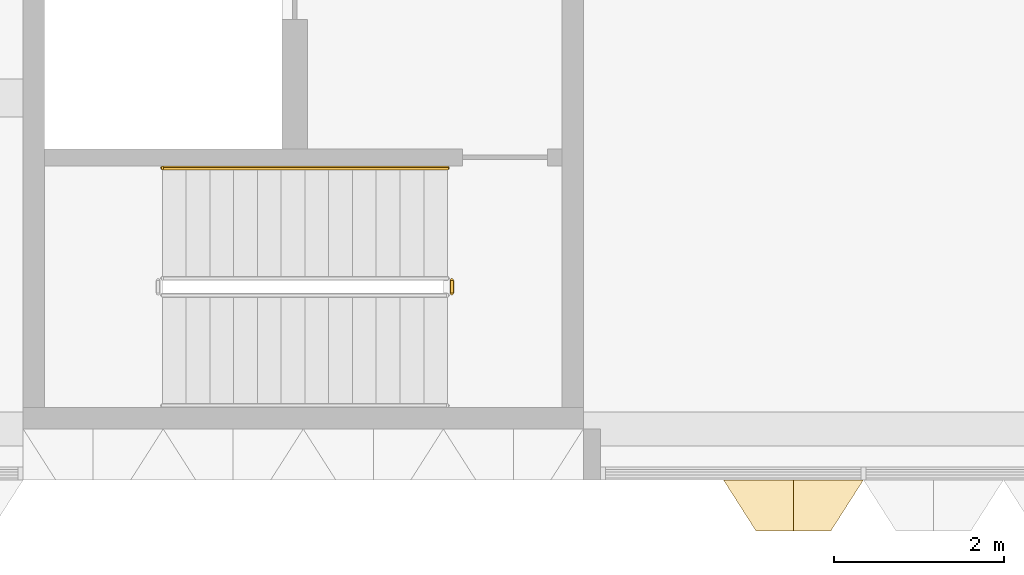
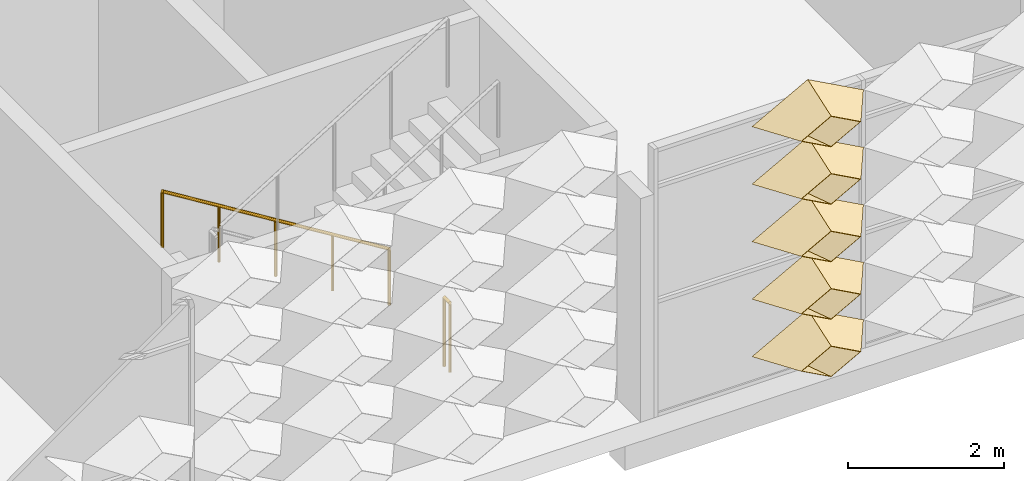
# One storey, part 40 of 61: 5 coverings, 2 railings.
"""IFC4 building model written with IfcOpenShell, lengths in metres."""

from ifc_helpers import new_model, entity, si_unit, direction, frame, origin, origin_2d, place, context, subcontext, project, spatial, circle, extrude, material, layer, layer_set, type_object, element, save


model = new_model("IFC4")

# Units and contexts
model_context = context("Model", 3, precision=1e-05, world=origin(), true_north=direction((0.0, 1.0)))
body_context = subcontext(model_context, "Body", "Model", "MODEL_VIEW")
ifc_project = project(units=[si_unit("LENGTHUNIT", "METRE"), si_unit("AREAUNIT", "SQUARE_METRE"), si_unit("VOLUMEUNIT", "CUBIC_METRE"), si_unit("PLANEANGLEUNIT", "RADIAN"), si_unit("MASSUNIT", "GRAM", prefix="KILO")], contexts=[model_context])

# Site, building, storey
site_placement = place(None, origin())
site = spatial("IfcSite", under=ifc_project, at=site_placement, CompositionType="ELEMENT")
building_placement = place(site_placement, origin())
building = spatial("IfcBuilding", under=site, at=building_placement, Name="Lantern Court Research Institute", CompositionType="ELEMENT")
storey_placement = place(building_placement, frame((0.0, 0.0, 23.39990234375)))
storey = spatial("IfcBuildingStorey", under=building, at=storey_placement, Name="L05", CompositionType="ELEMENT", Elevation=23.39990234375)

# Coverings
ifc_material_1 = material(Name="Anodised aluminium", Category="aluminium")
ifc_layer = layer(ifc_material_1, 0.01611328125)
ifc_layer_set = layer_set([ifc_layer], Name="Anodised aluminium")
covering_type = type_object("IfcCoveringType", Name="Fin cassette 1650 x 900 x 600 aluminium", PredefinedType="CLADDING", material=ifc_layer_set)
covering_1_placement = place(storey_placement, frame((61.875, -8.39990234375, 0.4501953125), z_axis=(0.0, -1.0, 0.0), x_axis=(1.0, 0.0, 0.0)))
cartesian_point_1 = entity("IfcCartesianPoint", [0.824951171875, 0.0])
cartesian_point_2 = entity("IfcCartesianPoint", [0.79150390625, 0.0])
cartesian_point_3 = entity("IfcCartesianPoint", [0.44189453125, 0.0])
cartesian_point_4 = entity("IfcCartesianPoint", [0.43359375, 0.0])
element("IfcCovering", 1, at=covering_1_placement, inside=storey, type_object=covering_type, Name="Fin cassette V5S-L05 1.38", PredefinedType="CLADDING", context=body_context, shape_type="SweptSolid", body=[
    entity("IfcExtrudedAreaSolidTapered", entity("IfcArbitraryProfileDefWithVoids", "AREA", None, entity("IfcPolyline", [cartesian_point_1, entity("IfcCartesianPoint", [0.0, 0.449951171875]), entity("IfcCartesianPoint", [-0.824951171875, 0.0]), entity("IfcCartesianPoint", [0.0, -0.449951171875]), cartesian_point_1]), [entity("IfcPolyline", [cartesian_point_2, entity("IfcCartesianPoint", [0.0, 0.431884765625]), entity("IfcCartesianPoint", [-0.79150390625, 0.0]), entity("IfcCartesianPoint", [0.0, -0.431884765625]), cartesian_point_2])]), entity("IfcAxis2Placement3D", entity("IfcCartesianPoint", [0.0, 0.0, 0.0])), entity("IfcDirection", [0.0, 0.0, 1.0]), 0.60009765625, entity("IfcArbitraryProfileDefWithVoids", "AREA", None, entity("IfcPolyline", [cartesian_point_3, entity("IfcCartesianPoint", [0.0, 0.240966796875]), entity("IfcCartesianPoint", [-0.44189453125, 0.0]), entity("IfcCartesianPoint", [0.0, -0.240966796875]), cartesian_point_3]), [entity("IfcPolyline", [cartesian_point_4, entity("IfcCartesianPoint", [0.0, 0.236572265625]), entity("IfcCartesianPoint", [-0.43359375, 0.0]), entity("IfcCartesianPoint", [0.0, -0.236572265625]), cartesian_point_4])])),
])
covering_2_placement = place(storey_placement, frame((61.875, -8.39990234375, 1.35009765625), z_axis=(0.0, -1.0, 0.0), x_axis=(1.0, 0.0, 0.0)))
cartesian_point_5 = entity("IfcCartesianPoint", [0.824951171875, 0.0])
cartesian_point_6 = entity("IfcCartesianPoint", [0.79150390625, 0.0])
cartesian_point_7 = entity("IfcCartesianPoint", [0.44189453125, 0.0])
cartesian_point_8 = entity("IfcCartesianPoint", [0.43359375, 0.0])
element("IfcCovering", 2, at=covering_2_placement, inside=storey, type_object=covering_type, Name="Fin cassette V5S-L05 2.38", PredefinedType="CLADDING", context=body_context, shape_type="SweptSolid", body=[
    entity("IfcExtrudedAreaSolidTapered", entity("IfcArbitraryProfileDefWithVoids", "AREA", None, entity("IfcPolyline", [cartesian_point_5, entity("IfcCartesianPoint", [0.0, 0.449951171875]), entity("IfcCartesianPoint", [-0.824951171875, 0.0]), entity("IfcCartesianPoint", [0.0, -0.449951171875]), cartesian_point_5]), [entity("IfcPolyline", [cartesian_point_6, entity("IfcCartesianPoint", [0.0, 0.431884765625]), entity("IfcCartesianPoint", [-0.79150390625, 0.0]), entity("IfcCartesianPoint", [0.0, -0.431884765625]), cartesian_point_6])]), entity("IfcAxis2Placement3D", entity("IfcCartesianPoint", [0.0, 0.0, 0.0])), entity("IfcDirection", [0.0, 0.0, 1.0]), 0.60009765625, entity("IfcArbitraryProfileDefWithVoids", "AREA", None, entity("IfcPolyline", [cartesian_point_7, entity("IfcCartesianPoint", [0.0, 0.240966796875]), entity("IfcCartesianPoint", [-0.44189453125, 0.0]), entity("IfcCartesianPoint", [0.0, -0.240966796875]), cartesian_point_7]), [entity("IfcPolyline", [cartesian_point_8, entity("IfcCartesianPoint", [0.0, 0.236572265625]), entity("IfcCartesianPoint", [-0.43359375, 0.0]), entity("IfcCartesianPoint", [0.0, -0.236572265625]), cartesian_point_8])])),
])
covering_3_placement = place(storey_placement, frame((61.875, -8.39990234375, 2.25), z_axis=(0.0, -1.0, 0.0), x_axis=(1.0, 0.0, 0.0)))
cartesian_point_9 = entity("IfcCartesianPoint", [0.824951171875, 0.0])
cartesian_point_10 = entity("IfcCartesianPoint", [0.79150390625, 0.0])
cartesian_point_11 = entity("IfcCartesianPoint", [0.44189453125, 0.0])
cartesian_point_12 = entity("IfcCartesianPoint", [0.43359375, 0.0])
element("IfcCovering", 3, at=covering_3_placement, inside=storey, type_object=covering_type, Name="Fin cassette V5S-L05 3.38", PredefinedType="CLADDING", context=body_context, shape_type="SweptSolid", body=[
    entity("IfcExtrudedAreaSolidTapered", entity("IfcArbitraryProfileDefWithVoids", "AREA", None, entity("IfcPolyline", [cartesian_point_9, entity("IfcCartesianPoint", [0.0, 0.449951171875]), entity("IfcCartesianPoint", [-0.824951171875, 0.0]), entity("IfcCartesianPoint", [0.0, -0.449951171875]), cartesian_point_9]), [entity("IfcPolyline", [cartesian_point_10, entity("IfcCartesianPoint", [0.0, 0.431884765625]), entity("IfcCartesianPoint", [-0.79150390625, 0.0]), entity("IfcCartesianPoint", [0.0, -0.431884765625]), cartesian_point_10])]), entity("IfcAxis2Placement3D", entity("IfcCartesianPoint", [0.0, 0.0, 0.0])), entity("IfcDirection", [0.0, 0.0, 1.0]), 0.60009765625, entity("IfcArbitraryProfileDefWithVoids", "AREA", None, entity("IfcPolyline", [cartesian_point_11, entity("IfcCartesianPoint", [0.0, 0.240966796875]), entity("IfcCartesianPoint", [-0.44189453125, 0.0]), entity("IfcCartesianPoint", [0.0, -0.240966796875]), cartesian_point_11]), [entity("IfcPolyline", [cartesian_point_12, entity("IfcCartesianPoint", [0.0, 0.236572265625]), entity("IfcCartesianPoint", [-0.43359375, 0.0]), entity("IfcCartesianPoint", [0.0, -0.236572265625]), cartesian_point_12])])),
])
covering_4_placement = place(storey_placement, frame((61.875, -8.39990234375, 3.150146484375), z_axis=(0.0, -1.0, 0.0), x_axis=(1.0, 0.0, 0.0)))
cartesian_point_13 = entity("IfcCartesianPoint", [0.824951171875, 0.0])
cartesian_point_14 = entity("IfcCartesianPoint", [0.79150390625, 0.0])
cartesian_point_15 = entity("IfcCartesianPoint", [0.44189453125, 0.0])
cartesian_point_16 = entity("IfcCartesianPoint", [0.43359375, 0.0])
element("IfcCovering", 4, at=covering_4_placement, inside=storey, type_object=covering_type, Name="Fin cassette V5S-L05 4.38", PredefinedType="CLADDING", context=body_context, shape_type="SweptSolid", body=[
    entity("IfcExtrudedAreaSolidTapered", entity("IfcArbitraryProfileDefWithVoids", "AREA", None, entity("IfcPolyline", [cartesian_point_13, entity("IfcCartesianPoint", [0.0, 0.449951171875]), entity("IfcCartesianPoint", [-0.824951171875, 0.0]), entity("IfcCartesianPoint", [0.0, -0.449951171875]), cartesian_point_13]), [entity("IfcPolyline", [cartesian_point_14, entity("IfcCartesianPoint", [0.0, 0.431884765625]), entity("IfcCartesianPoint", [-0.79150390625, 0.0]), entity("IfcCartesianPoint", [0.0, -0.431884765625]), cartesian_point_14])]), entity("IfcAxis2Placement3D", entity("IfcCartesianPoint", [0.0, 0.0, 0.0])), entity("IfcDirection", [0.0, 0.0, 1.0]), 0.60009765625, entity("IfcArbitraryProfileDefWithVoids", "AREA", None, entity("IfcPolyline", [cartesian_point_15, entity("IfcCartesianPoint", [0.0, 0.240966796875]), entity("IfcCartesianPoint", [-0.44189453125, 0.0]), entity("IfcCartesianPoint", [0.0, -0.240966796875]), cartesian_point_15]), [entity("IfcPolyline", [cartesian_point_16, entity("IfcCartesianPoint", [0.0, 0.236572265625]), entity("IfcCartesianPoint", [-0.43359375, 0.0]), entity("IfcCartesianPoint", [0.0, -0.236572265625]), cartesian_point_16])])),
])
covering_5_placement = place(storey_placement, frame((61.875, -8.39990234375, 4.050048828125), z_axis=(0.0, -1.0, 0.0), x_axis=(1.0, 0.0, 0.0)))
cartesian_point_17 = entity("IfcCartesianPoint", [0.824951171875, 0.0])
cartesian_point_18 = entity("IfcCartesianPoint", [0.79150390625, 0.0])
cartesian_point_19 = entity("IfcCartesianPoint", [0.44189453125, 0.0])
cartesian_point_20 = entity("IfcCartesianPoint", [0.43359375, 0.0])
element("IfcCovering", 5, at=covering_5_placement, inside=storey, type_object=covering_type, Name="Fin cassette V5S-L05 5.38", PredefinedType="CLADDING", context=body_context, shape_type="SweptSolid", body=[
    entity("IfcExtrudedAreaSolidTapered", entity("IfcArbitraryProfileDefWithVoids", "AREA", None, entity("IfcPolyline", [cartesian_point_17, entity("IfcCartesianPoint", [0.0, 0.449951171875]), entity("IfcCartesianPoint", [-0.824951171875, 0.0]), entity("IfcCartesianPoint", [0.0, -0.449951171875]), cartesian_point_17]), [entity("IfcPolyline", [cartesian_point_18, entity("IfcCartesianPoint", [0.0, 0.431884765625]), entity("IfcCartesianPoint", [-0.79150390625, 0.0]), entity("IfcCartesianPoint", [0.0, -0.431884765625]), cartesian_point_18])]), entity("IfcAxis2Placement3D", entity("IfcCartesianPoint", [0.0, 0.0, 0.0])), entity("IfcDirection", [0.0, 0.0, 1.0]), 0.60009765625, entity("IfcArbitraryProfileDefWithVoids", "AREA", None, entity("IfcPolyline", [cartesian_point_19, entity("IfcCartesianPoint", [0.0, 0.240966796875]), entity("IfcCartesianPoint", [-0.44189453125, 0.0]), entity("IfcCartesianPoint", [0.0, -0.240966796875]), cartesian_point_19]), [entity("IfcPolyline", [cartesian_point_20, entity("IfcCartesianPoint", [0.0, 0.236572265625]), entity("IfcCartesianPoint", [-0.43359375, 0.0]), entity("IfcCartesianPoint", [0.0, -0.236572265625]), cartesian_point_20])])),
])

# Railings
ifc_material_2 = material(Name="Structural steel S355", Category="steel")
railing_type_1 = type_object("IfcRailingType", Name="Stair guard 1100 steel", PredefinedType="GUARDRAIL", material=ifc_material_2)
railing_1_placement = place(storey_placement, frame((57.85009765625, -6.050048828125, 0.0)))
element("IfcRailing", 6, at=railing_1_placement, inside=storey, type_object=railing_type_1, Name="L05 ST-T1 stair guard 4", PredefinedType="GUARDRAIL", context=body_context, shape_type="SweptSolid", body=[
    extrude(circle(Radius=0.02392578125, at=origin_2d()), frame((0.0, 0.0, 1.076171875), z_axis=(0.0, -1.0, 0.0), x_axis=(1.0, 0.0, 0.0)), (0.0, 0.0, 1.0), 0.14990234375),
    extrude(circle(Radius=0.02099609375, at=origin_2d()), origin(), (0.0, 0.0, 1.0), 1.052001953125),
    extrude(circle(Radius=0.02099609375, at=origin_2d()), frame((0.0, -0.14990234375, 0.0)), (0.0, 0.0, 1.0), 1.052001953125),
])
ifc_material_3 = material(Name="Stainless steel 316", Category="steel")
railing_type_2 = type_object("IfcRailingType", Name="Stair handrail 900 steel", PredefinedType="HANDRAIL", material=ifc_material_3)
railing_2_placement = place(storey_placement, frame((57.800048828125, -4.72509765625, 0.173095703125)))
element("IfcRailing", 7, at=railing_2_placement, inside=storey, type_object=railing_type_2, Name="L05 ST-T1 stair handrail 1", PredefinedType="HANDRAIL", context=body_context, shape_type="SweptSolid", body=[
    extrude(circle(Radius=0.02392578125, at=origin_2d()), frame((0.0, 0.0, 0.8759765625), z_axis=(-0.850623216509, 0.0, 0.525775754039), x_axis=(0.0, -1.0, 0.0)), (0.0, 0.0, 1.0), 3.9501953125),
    extrude(circle(Radius=0.02099609375, at=origin_2d()), origin(), (0.0, 0.0, 1.0), 0.851806640625),
    extrude(circle(Radius=0.02099609375, at=origin_2d()), frame((-0.840087890625, 0.0, 0.519287109375)), (0.0, 0.0, 1.0), 0.851806640625),
    extrude(circle(Radius=0.02099609375, at=origin_2d()), frame((-1.68017578125, 0.0, 1.03857421875)), (0.0, 0.0, 1.0), 0.851806640625),
    extrude(circle(Radius=0.02099609375, at=origin_2d()), frame((-2.52001953125, 0.0, 1.5576171875)), (0.0, 0.0, 1.0), 0.851806640625),
    extrude(circle(Radius=0.02099609375, at=origin_2d()), frame((-3.360107421875, 0.0, 2.076904296875)), (0.0, 0.0, 1.0), 0.851806640625),
])

save(model, "model.ifc")
